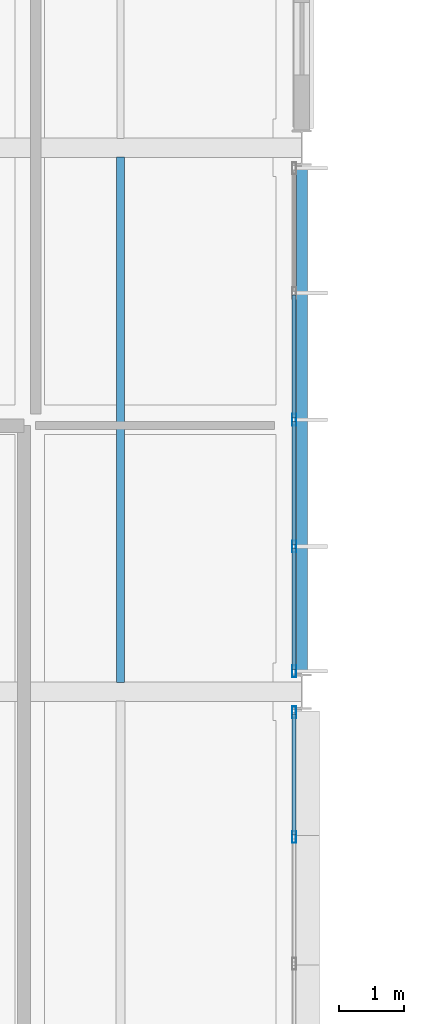
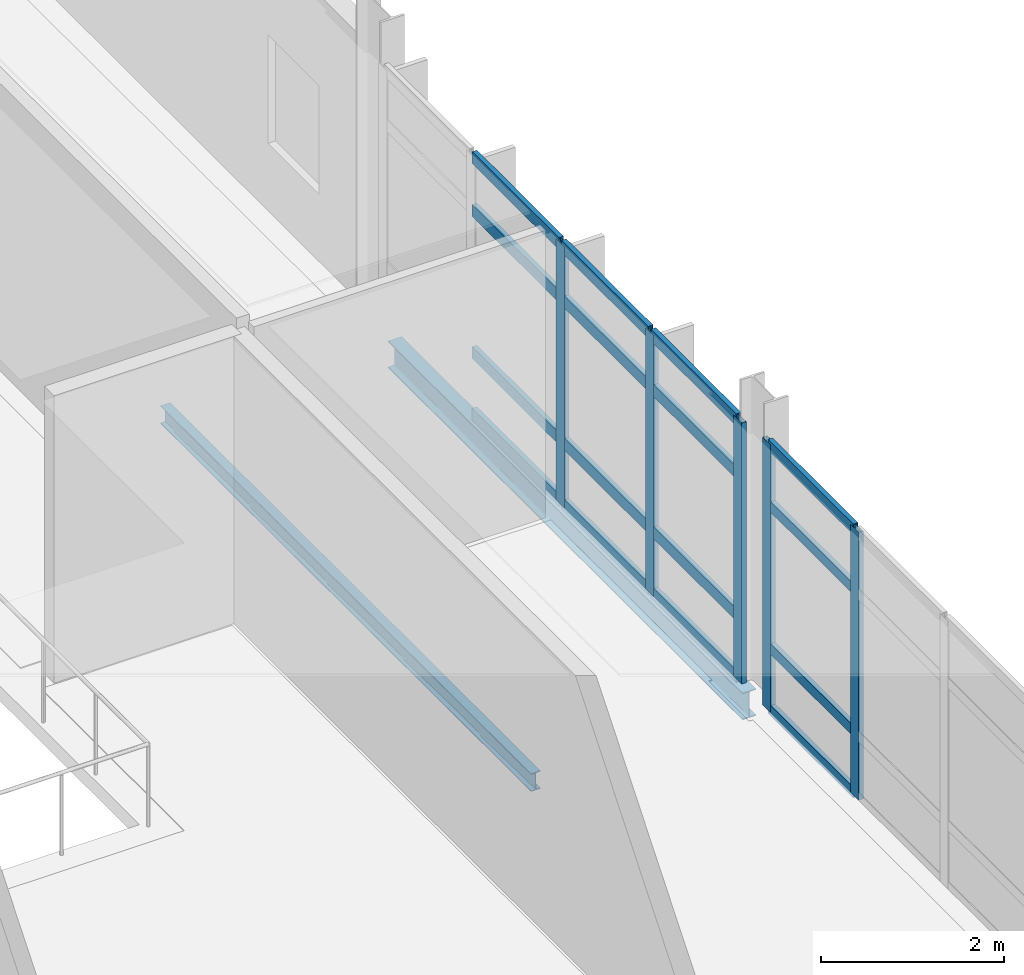
# One storey, part 34 of 151: 21 members, 2 beams, 2 elements without a shape of their own.
"""IFC4 building model written with IfcOpenShell, lengths in metres."""

from ifc_helpers import new_model, si_unit, direction, frame, origin, origin_2d, place, context, subcontext, project, spatial, hollow_rectangle, i_section, extrude, material, material_profile, profile_set, type_object, element, aggregate, save


model = new_model("IFC4")

# Units and contexts
model_context = context("Model", 3, precision=1e-05, world=origin(), true_north=direction((0.0, 1.0)))
body_context = subcontext(model_context, "Body", "Model", "MODEL_VIEW")
ifc_project = project(units=[si_unit("LENGTHUNIT", "METRE"), si_unit("AREAUNIT", "SQUARE_METRE"), si_unit("VOLUMEUNIT", "CUBIC_METRE"), si_unit("PLANEANGLEUNIT", "RADIAN"), si_unit("MASSUNIT", "GRAM", prefix="KILO")], contexts=[model_context])

# Site, building, storey
site_placement = place(None, origin())
site = spatial("IfcSite", under=ifc_project, at=site_placement, CompositionType="ELEMENT")
building_placement = place(site_placement, origin())
building = spatial("IfcBuilding", under=site, at=building_placement, Name="Mersafa Astral City Hall", CompositionType="ELEMENT")
storey_placement = place(building_placement, frame((0.0, 0.0, 9.89990234375)))
storey = spatial("IfcBuildingStorey", under=building, at=storey_placement, Name="L02", CompositionType="ELEMENT", Elevation=9.89990234375)

# Curtain wall, members
ifc_material_1 = material(Name="Anodised bronze aluminium framing", Category="aluminium")
curtain_wall_type_1 = type_object("IfcCurtainWallType", Name="ENV-CW-4", PredefinedType="USERDEFINED", material=ifc_material_1)
curtain_wall_1_placement = place(storey_placement, origin())
curtain_wall_1 = element("IfcCurtainWall", 1, at=curtain_wall_1_placement, inside=storey, type_object=curtain_wall_type_1, Name="L02 Unitised solar curtain wall 111", ObjectType="UNITISED CURTAIN WALL", PredefinedType="USERDEFINED")
ifc_material_profile_1 = material_profile(ifc_material_1, hollow_rectangle(XDim=0.06005859375, YDim=0.179931640625, WallThickness=0.00390625, at=origin_2d()), Name="RHS 60x180x4")
ifc_profile_set_1 = profile_set([ifc_material_profile_1], Name="Anodised bronze aluminium framing")
member_type_1 = type_object("IfcMemberType", Name="ENV-CW-MUL-1", PredefinedType="MULLION", material=ifc_profile_set_1)
member_1_placement = place(storey_placement, frame((117.47998046875, 48.156494140625, -0.001953125), z_axis=(0.0, 0.0, 1.0), x_axis=(-1.0, 0.0, 0.0)))
member_1 = element("IfcMember", 2, at=member_1_placement, type_object=member_type_1, Name="CW-4 mullion 4", PredefinedType="MULLION", context=body_context, shape_type="SweptSolid", body=[
    extrude(hollow_rectangle(XDim=0.06005859375, YDim=0.179931640625, WallThickness=0.00390625, at=origin_2d()), origin(), (0.0, 0.0, 1.0), 3.5791015625),
])
member_2_placement = place(storey_placement, frame((117.47998046875, 50.0830078125, -0.001953125), z_axis=(0.0, 0.0, 1.0), x_axis=(-1.0, 0.0, 0.0)))
member_2 = element("IfcMember", 3, at=member_2_placement, type_object=member_type_1, Name="CW-4 mullion 5", PredefinedType="MULLION", context=body_context, shape_type="SweptSolid", body=[
    extrude(hollow_rectangle(XDim=0.06005859375, YDim=0.179931640625, WallThickness=0.00390625, at=origin_2d()), origin(), (0.0, 0.0, 1.0), 3.5791015625),
])

curtain_wall_type_2 = type_object("IfcCurtainWallType", Name="ENV-CW-5", PredefinedType="USERDEFINED", material=ifc_material_1)
curtain_wall_2_placement = place(storey_placement, origin())
curtain_wall_2 = element("IfcCurtainWall", 4, at=curtain_wall_2_placement, inside=storey, type_object=curtain_wall_type_2, Name="L02 Unitised solar curtain wall 112", ObjectType="UNITISED CURTAIN WALL", PredefinedType="USERDEFINED")
member_3_placement = place(storey_placement, frame((117.47998046875, 50.717041015625, -0.001953125), z_axis=(0.0, 0.0, 1.0), x_axis=(-1.0, 0.0, 0.0)))
member_3 = element("IfcMember", 5, at=member_3_placement, type_object=member_type_1, Name="CW-5 mullion 1", PredefinedType="MULLION", context=body_context, shape_type="SweptSolid", body=[
    extrude(hollow_rectangle(XDim=0.06005859375, YDim=0.179931640625, WallThickness=0.00390625, at=origin_2d()), origin(), (0.0, 0.0, 1.0), 3.489013671875),
])
member_4_placement = place(storey_placement, frame((117.47998046875, 52.6435546875, -0.001953125), z_axis=(0.0, 0.0, 1.0), x_axis=(-1.0, 0.0, 0.0)))
member_4 = element("IfcMember", 6, at=member_4_placement, type_object=member_type_1, Name="CW-5 mullion 2", PredefinedType="MULLION", context=body_context, shape_type="SweptSolid", body=[
    extrude(hollow_rectangle(XDim=0.06005859375, YDim=0.179931640625, WallThickness=0.00390625, at=origin_2d()), origin(), (0.0, 0.0, 1.0), 3.489013671875),
])
member_5_placement = place(storey_placement, frame((117.47998046875, 54.60009765625, -0.001953125), z_axis=(0.0, 0.0, 1.0), x_axis=(-1.0, 0.0, 0.0)))
member_5 = element("IfcMember", 7, at=member_5_placement, type_object=member_type_1, Name="CW-5 mullion 3", PredefinedType="MULLION", context=body_context, shape_type="SweptSolid", body=[
    extrude(hollow_rectangle(XDim=0.06005859375, YDim=0.179931640625, WallThickness=0.00390625, at=origin_2d()), origin(), (0.0, 0.0, 1.0), 3.489013671875),
])

# Member
ifc_material_profile_2 = material_profile(ifc_material_1, hollow_rectangle(XDim=0.06005859375, YDim=0.139892578125, WallThickness=0.00390625, at=origin_2d()), Name="RHS 60x140x4")
ifc_profile_set_2 = profile_set([ifc_material_profile_2], Name="Anodised bronze aluminium framing")
member_type_2 = type_object("IfcMemberType", Name="ENV-CW-TRN-1", PredefinedType="USERDEFINED", material=ifc_profile_set_2)
member_6_placement = place(storey_placement, frame((117.47998046875, 48.1865234375, 0.028076171875), z_axis=(0.0, 1.0, 0.0), x_axis=(-1.0, 0.0, 0.0)))
member_6 = element("IfcMember", 8, at=member_6_placement, type_object=member_type_2, Name="CW-4 transom 4.1", ObjectType="TRANSOM", PredefinedType="USERDEFINED", context=body_context, shape_type="SweptSolid", body=[
    extrude(hollow_rectangle(XDim=0.06005859375, YDim=0.139892578125, WallThickness=0.00390625, at=origin_2d()), origin(), (0.0, 0.0, 1.0), 1.866455078125),
])

member_7_placement = place(storey_placement, frame((117.47998046875, 48.1865234375, 0.85009765625), z_axis=(0.0, 1.0, 0.0), x_axis=(-1.0, 0.0, 0.0)))
member_7 = element("IfcMember", 9, at=member_7_placement, type_object=member_type_2, Name="CW-4 transom 4.2", ObjectType="TRANSOM", PredefinedType="USERDEFINED", context=body_context, shape_type="SweptSolid", body=[
    extrude(hollow_rectangle(XDim=0.06005859375, YDim=0.139892578125, WallThickness=0.00390625, at=origin_2d()), origin(), (0.0, 0.0, 1.0), 1.866455078125),
])

member_8_placement = place(storey_placement, frame((117.47998046875, 48.1865234375, 2.75), z_axis=(0.0, 1.0, 0.0), x_axis=(-1.0, 0.0, 0.0)))
member_8 = element("IfcMember", 10, at=member_8_placement, type_object=member_type_2, Name="CW-4 transom 4.3", ObjectType="TRANSOM", PredefinedType="USERDEFINED", context=body_context, shape_type="SweptSolid", body=[
    extrude(hollow_rectangle(XDim=0.06005859375, YDim=0.139892578125, WallThickness=0.00390625, at=origin_2d()), origin(), (0.0, 0.0, 1.0), 1.866455078125),
])

member_9_placement = place(storey_placement, frame((117.47998046875, 48.1865234375, 3.547119140625), z_axis=(0.0, 1.0, 0.0), x_axis=(-1.0, 0.0, 0.0)))
member_9 = element("IfcMember", 11, at=member_9_placement, type_object=member_type_2, Name="CW-4 transom 4.4", ObjectType="TRANSOM", PredefinedType="USERDEFINED", context=body_context, shape_type="SweptSolid", body=[
    extrude(hollow_rectangle(XDim=0.06005859375, YDim=0.139892578125, WallThickness=0.00390625, at=origin_2d()), origin(), (0.0, 0.0, 1.0), 1.866455078125),
])

aggregate(curtain_wall_1, [member_1, member_2, member_6, member_7, member_8, member_9])

ifc_material_profile_3 = material_profile(ifc_material_1, hollow_rectangle(XDim=0.06005859375, YDim=0.159912109375, WallThickness=0.00390625, at=origin_2d()), Name="RHS 60x160x4")
ifc_profile_set_3 = profile_set([ifc_material_profile_3], Name="Anodised bronze aluminium framing")
member_type_3 = type_object("IfcMemberType", Name="ENV-CW-TRN-2", PredefinedType="USERDEFINED", material=ifc_profile_set_3)
member_10_placement = place(storey_placement, frame((117.47998046875, 50.7470703125, 0.028076171875), z_axis=(0.0, 1.0, 0.0), x_axis=(-1.0, 0.0, 0.0)))
member_10 = element("IfcMember", 12, at=member_10_placement, type_object=member_type_3, Name="CW-5 transom 1.1", ObjectType="TRANSOM", PredefinedType="USERDEFINED", context=body_context, shape_type="SweptSolid", body=[
    extrude(hollow_rectangle(XDim=0.06005859375, YDim=0.159912109375, WallThickness=0.00390625, at=origin_2d()), origin(), (0.0, 0.0, 1.0), 1.866455078125),
])

member_11_placement = place(storey_placement, frame((117.47998046875, 50.7470703125, 0.85009765625), z_axis=(0.0, 1.0, 0.0), x_axis=(-1.0, 0.0, 0.0)))
member_11 = element("IfcMember", 13, at=member_11_placement, type_object=member_type_3, Name="CW-5 transom 1.2", ObjectType="TRANSOM", PredefinedType="USERDEFINED", context=body_context, shape_type="SweptSolid", body=[
    extrude(hollow_rectangle(XDim=0.06005859375, YDim=0.159912109375, WallThickness=0.00390625, at=origin_2d()), origin(), (0.0, 0.0, 1.0), 1.866455078125),
])

member_12_placement = place(storey_placement, frame((117.47998046875, 50.7470703125, 2.75), z_axis=(0.0, 1.0, 0.0), x_axis=(-1.0, 0.0, 0.0)))
member_12 = element("IfcMember", 14, at=member_12_placement, type_object=member_type_3, Name="CW-5 transom 1.3", ObjectType="TRANSOM", PredefinedType="USERDEFINED", context=body_context, shape_type="SweptSolid", body=[
    extrude(hollow_rectangle(XDim=0.06005859375, YDim=0.159912109375, WallThickness=0.00390625, at=origin_2d()), origin(), (0.0, 0.0, 1.0), 1.866455078125),
])

member_13_placement = place(storey_placement, frame((117.47998046875, 50.7470703125, 3.45703125), z_axis=(0.0, 1.0, 0.0), x_axis=(-1.0, 0.0, 0.0)))
member_13 = element("IfcMember", 15, at=member_13_placement, type_object=member_type_3, Name="CW-5 transom 1.4", ObjectType="TRANSOM", PredefinedType="USERDEFINED", context=body_context, shape_type="SweptSolid", body=[
    extrude(hollow_rectangle(XDim=0.06005859375, YDim=0.159912109375, WallThickness=0.00390625, at=origin_2d()), origin(), (0.0, 0.0, 1.0), 1.866455078125),
])

member_14_placement = place(storey_placement, frame((117.47998046875, 52.673583984375, 0.028076171875), z_axis=(0.0, 1.0, 0.0), x_axis=(-1.0, 0.0, 0.0)))
member_14 = element("IfcMember", 16, at=member_14_placement, type_object=member_type_3, Name="CW-5 transom 2.1", ObjectType="TRANSOM", PredefinedType="USERDEFINED", context=body_context, shape_type="SweptSolid", body=[
    extrude(hollow_rectangle(XDim=0.06005859375, YDim=0.159912109375, WallThickness=0.00390625, at=origin_2d()), origin(), (0.0, 0.0, 1.0), 1.896484375),
])

member_15_placement = place(storey_placement, frame((117.47998046875, 52.673583984375, 0.85009765625), z_axis=(0.0, 1.0, 0.0), x_axis=(-1.0, 0.0, 0.0)))
member_15 = element("IfcMember", 17, at=member_15_placement, type_object=member_type_3, Name="CW-5 transom 2.2", ObjectType="TRANSOM", PredefinedType="USERDEFINED", context=body_context, shape_type="SweptSolid", body=[
    extrude(hollow_rectangle(XDim=0.06005859375, YDim=0.159912109375, WallThickness=0.00390625, at=origin_2d()), origin(), (0.0, 0.0, 1.0), 1.896484375),
])

member_16_placement = place(storey_placement, frame((117.47998046875, 52.673583984375, 2.75), z_axis=(0.0, 1.0, 0.0), x_axis=(-1.0, 0.0, 0.0)))
member_16 = element("IfcMember", 18, at=member_16_placement, type_object=member_type_3, Name="CW-5 transom 2.3", ObjectType="TRANSOM", PredefinedType="USERDEFINED", context=body_context, shape_type="SweptSolid", body=[
    extrude(hollow_rectangle(XDim=0.06005859375, YDim=0.159912109375, WallThickness=0.00390625, at=origin_2d()), origin(), (0.0, 0.0, 1.0), 1.896484375),
])

member_17_placement = place(storey_placement, frame((117.47998046875, 52.673583984375, 3.45703125), z_axis=(0.0, 1.0, 0.0), x_axis=(-1.0, 0.0, 0.0)))
member_17 = element("IfcMember", 19, at=member_17_placement, type_object=member_type_3, Name="CW-5 transom 2.4", ObjectType="TRANSOM", PredefinedType="USERDEFINED", context=body_context, shape_type="SweptSolid", body=[
    extrude(hollow_rectangle(XDim=0.06005859375, YDim=0.159912109375, WallThickness=0.00390625, at=origin_2d()), origin(), (0.0, 0.0, 1.0), 1.896484375),
])

member_18_placement = place(storey_placement, frame((117.47998046875, 54.6298828125, 0.028076171875), z_axis=(0.0, 1.0, 0.0), x_axis=(-1.0, 0.0, 0.0)))
member_18 = element("IfcMember", 20, at=member_18_placement, type_object=member_type_3, Name="CW-5 transom 3.1", ObjectType="TRANSOM", PredefinedType="USERDEFINED", context=body_context, shape_type="SweptSolid", body=[
    extrude(hollow_rectangle(XDim=0.06005859375, YDim=0.159912109375, WallThickness=0.00390625, at=origin_2d()), origin(), (0.0, 0.0, 1.0), 1.896728515625),
])

member_19_placement = place(storey_placement, frame((117.47998046875, 54.6298828125, 0.85009765625), z_axis=(0.0, 1.0, 0.0), x_axis=(-1.0, 0.0, 0.0)))
member_19 = element("IfcMember", 21, at=member_19_placement, type_object=member_type_3, Name="CW-5 transom 3.2", ObjectType="TRANSOM", PredefinedType="USERDEFINED", context=body_context, shape_type="SweptSolid", body=[
    extrude(hollow_rectangle(XDim=0.06005859375, YDim=0.159912109375, WallThickness=0.00390625, at=origin_2d()), origin(), (0.0, 0.0, 1.0), 1.896728515625),
])

member_20_placement = place(storey_placement, frame((117.47998046875, 54.6298828125, 2.75), z_axis=(0.0, 1.0, 0.0), x_axis=(-1.0, 0.0, 0.0)))
member_20 = element("IfcMember", 22, at=member_20_placement, type_object=member_type_3, Name="CW-5 transom 3.3", ObjectType="TRANSOM", PredefinedType="USERDEFINED", context=body_context, shape_type="SweptSolid", body=[
    extrude(hollow_rectangle(XDim=0.06005859375, YDim=0.159912109375, WallThickness=0.00390625, at=origin_2d()), origin(), (0.0, 0.0, 1.0), 1.896728515625),
])

member_21_placement = place(storey_placement, frame((117.47998046875, 54.6298828125, 3.45703125), z_axis=(0.0, 1.0, 0.0), x_axis=(-1.0, 0.0, 0.0)))
member_21 = element("IfcMember", 23, at=member_21_placement, type_object=member_type_3, Name="CW-5 transom 3.4", ObjectType="TRANSOM", PredefinedType="USERDEFINED", context=body_context, shape_type="SweptSolid", body=[
    extrude(hollow_rectangle(XDim=0.06005859375, YDim=0.159912109375, WallThickness=0.00390625, at=origin_2d()), origin(), (0.0, 0.0, 1.0), 1.896728515625),
])

aggregate(curtain_wall_2, [member_3, member_4, member_5, member_10, member_11, member_12, member_13, member_14, member_15, member_16, member_17, member_18, member_19, member_20, member_21])

# Beams
ifc_material_2 = material(Name="Steel S355", Category="steel")
ifc_material_profile_4 = material_profile(ifc_material_2, i_section(OverallWidth=0.1201171875, OverallDepth=0.239990234375, WebThickness=0.006103515625, FlangeThickness=0.009765625, FilletRadius=0.014892578125, at=origin_2d()), Name="IPE 240")
ifc_profile_set_4 = profile_set([ifc_material_profile_4], Name="Steel S355")
beam_type_1 = type_object("IfcBeamType", Name="STR-BM-JOIST-IPE240", PredefinedType="JOIST", material=ifc_profile_set_4)
beam_1_placement = place(storey_placement, frame((114.800048828125, 50.544921875, -0.31982421875), z_axis=(0.0, 1.0, 0.0), x_axis=(-1.0, 0.0, 0.0)))
element("IfcBeam", 24, at=beam_1_placement, inside=storey, type_object=beam_type_1, Name="L02 Composite secondary floor joist 477", PredefinedType="JOIST", context=body_context, shape_type="SweptSolid", body=[
    extrude(i_section(OverallWidth=0.1201171875, OverallDepth=0.239990234375, WebThickness=0.006103515625, FlangeThickness=0.009765625, FilletRadius=0.014892578125, at=origin_2d()), origin(), (0.0, 0.0, 1.0), 8.110107421875),
])
ifc_material_profile_5 = material_profile(ifc_material_2, i_section(OverallWidth=0.169921875, OverallDepth=0.360107421875, WebThickness=0.008056640625, FlangeThickness=0.0126953125, FilletRadius=0.01806640625, at=origin_2d()), Name="IPE 360")
ifc_profile_set_5 = profile_set([ifc_material_profile_5], Name="Steel S355")
beam_type_2 = type_object("IfcBeamType", Name="STR-BM-SPANDREL-IPE360", PredefinedType="SPANDREL", material=ifc_profile_set_5)
beam_2_placement = place(storey_placement, frame((117.60009765625, 50.719970703125, -0.3798828125), z_axis=(0.0, 1.0, 0.0), x_axis=(-1.0, 0.0, 0.0)))
element("IfcBeam", 25, at=beam_2_placement, inside=storey, type_object=beam_type_2, Name="L02 Primary girder Y 14-6", PredefinedType="SPANDREL", context=body_context, shape_type="SweptSolid", body=[
    extrude(i_section(OverallWidth=0.169921875, OverallDepth=0.360107421875, WebThickness=0.008056640625, FlangeThickness=0.0126953125, FilletRadius=0.01806640625, at=origin_2d()), origin(), (0.0, 0.0, 1.0), 7.760009765625),
])

save(model, "model.ifc")
